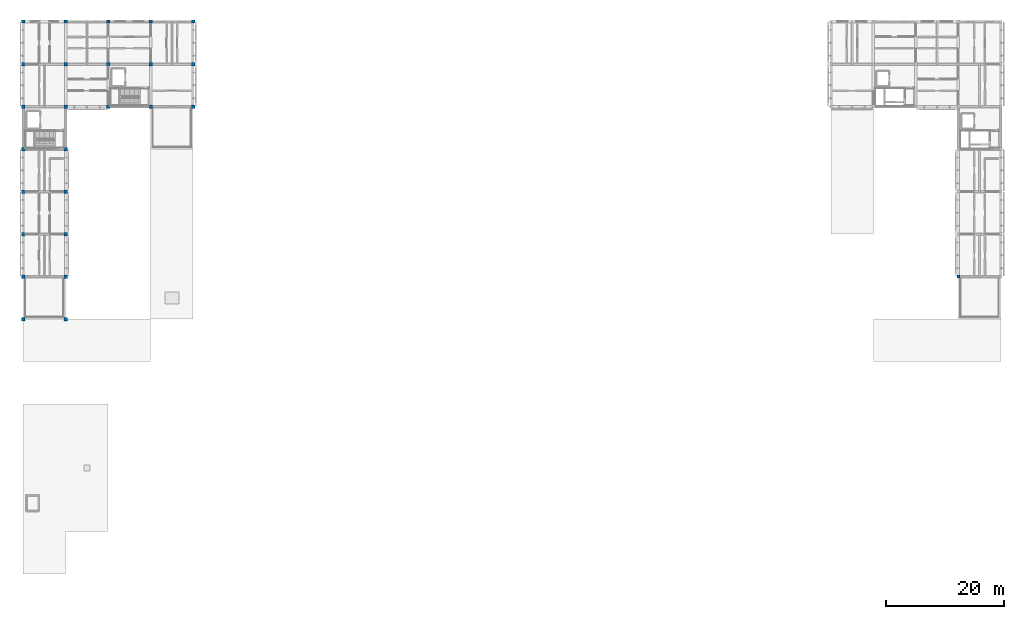
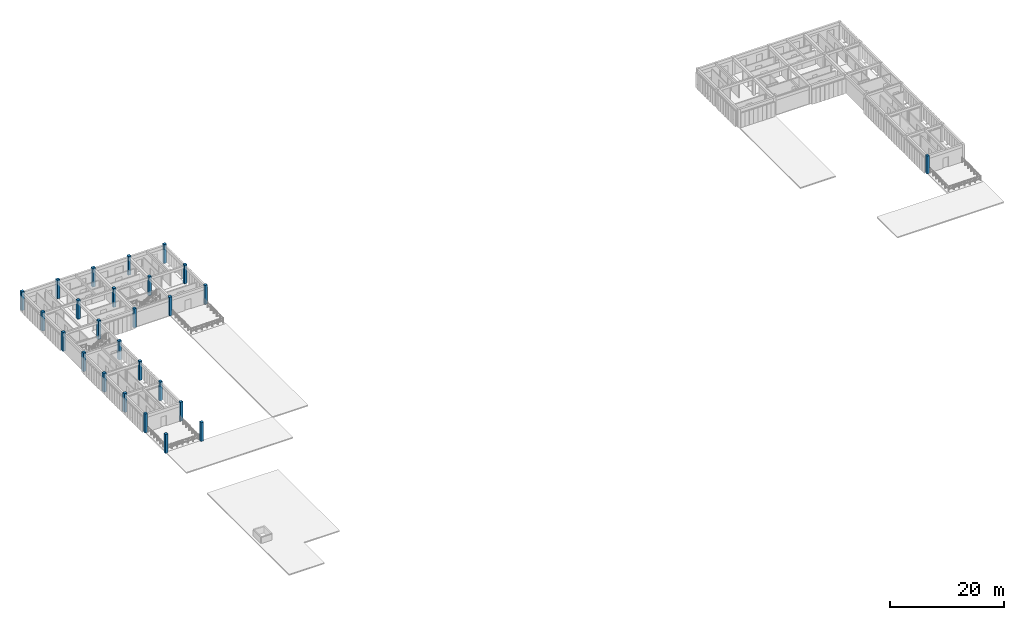
# One storey, part 1 of 33: 26 columns.
"""IFC4 building model written with IfcOpenShell, lengths in metres."""

from ifc_helpers import new_model, si_unit, direction, frame, origin, origin_2d, place, context, subcontext, project, spatial, rectangle, extrude, material, material_profile, profile_set, type_object, element, save


model = new_model("IFC4")

# Units and contexts
model_context = context("Model", 3, precision=1e-05, world=origin(), true_north=direction((0.0, 1.0)))
body_context = subcontext(model_context, "Body", "Model", "MODEL_VIEW")
ifc_project = project(units=[si_unit("LENGTHUNIT", "METRE"), si_unit("AREAUNIT", "SQUARE_METRE"), si_unit("VOLUMEUNIT", "CUBIC_METRE"), si_unit("PLANEANGLEUNIT", "RADIAN"), si_unit("MASSUNIT", "GRAM", prefix="KILO")], contexts=[model_context])

# Site, building, storey
site_placement = place(None, origin())
site = spatial("IfcSite", under=ifc_project, at=site_placement, CompositionType="ELEMENT")
building_placement = place(site_placement, origin())
building = spatial("IfcBuilding", under=site, at=building_placement, Name="Aldebral Square Health Centre", CompositionType="ELEMENT")
storey_placement = place(building_placement, frame((0.0, 0.0, 17.550048828125)))
storey = spatial("IfcBuildingStorey", under=building, at=storey_placement, Name="L04", CompositionType="ELEMENT", Elevation=17.550048828125)

# Columns
ifc_material = material(Name="Concrete C40/50", Category="concrete")
ifc_material_profile_1 = material_profile(ifc_material, rectangle(XDim=0.550048828125, YDim=0.550048828125, at=origin_2d()), Name="RC 550x550")
ifc_profile_set_1 = profile_set([ifc_material_profile_1], Name="Concrete C40/50")
column_type_1 = type_object("IfcColumnType", Name="COL-C4", PredefinedType="COLUMN", material=ifc_profile_set_1)
for number, where, z_axis, x_axis, name in (
    (1, (0.0, 64.800048828125, 0.0), (0.0, 0.0, 1.0), (1.0, 0.0, 0.0), "L04 column 1/10"),
    (2, (0.0, 72.0, 0.0), (0.0, 0.0, 1.0), (1.0, 0.0, 0.0), "L04 column 1/11"),
    (3, (0.0, 79.199951171875, 0.0), (0.0, 0.0, 1.0), (1.0, 0.0, 0.0), "L04 column 1/12"),
    (4, (0.0, 86.39990234375, 0.0), (0.0, 0.0, 1.0), (1.0, 0.0, 0.0), "L04 column 1/13"),
    (5, (0.0, 93.60009765625, 0.0), (0.0, 0.0, 1.0), (1.0, 0.0, 0.0), "L04 column 1/14"),
    (6, (0.0, 100.800048828125, 0.0), (0.0, 0.0, 1.0), (1.0, 0.0, 0.0), "L04 column 1/15"),
    (7, (0.0, 108.0, 0.0), (0.0, 0.0, 1.0), (1.0, 0.0, 0.0), "L04 column 1/16"),
    (8, (0.0, 115.199951171875, 0.0), (0.0, 0.0, 1.0), (1.0, 0.0, 0.0), "L04 column 1/17"),
    (9, (7.199951171875, 64.800048828125, 0.0), (0.0, 0.0, 1.0), (1.0, 0.0, 0.0), "L04 column 2/10"),
    (10, (7.199951171875, 72.0, 0.0), (0.0, 0.0, 1.0), (1.0, 0.0, 0.0), "L04 column 2/11"),
    (11, (7.199951171875, 79.199951171875, 0.0), (0.0, 0.0, 1.0), (1.0, 0.0, 0.0), "L04 column 2/12"),
    (12, (7.199951171875, 86.39990234375, 0.0), (0.0, 0.0, 1.0), (1.0, 0.0, 0.0), "L04 column 2/13"),
    (13, (7.199951171875, 93.60009765625, 0.0), (0.0, 0.0, 1.0), (1.0, 0.0, 0.0), "L04 column 2/14"),
    (14, (7.199951171875, 100.800048828125, 0.0), (0.0, 0.0, 1.0), (1.0, 0.0, 0.0), "L04 column 2/15"),
    (15, (7.199951171875, 108.0, 0.0), (0.0, 0.0, 1.0), (1.0, 0.0, 0.0), "L04 column 2/16"),
    (16, (7.199951171875, 115.199951171875, 0.0), (0.0, 0.0, 1.0), (1.0, 0.0, 0.0), "L04 column 2/17"),
    (17, (14.39990234375, 100.800048828125, 0.0), (0.0, 0.0, 1.0), (1.0, 0.0, 0.0), "L04 column 3/15"),
    (18, (14.39990234375, 108.0, 0.0), (0.0, 0.0, 1.0), (1.0, 0.0, 0.0), "L04 column 3/16"),
    (19, (14.39990234375, 115.199951171875, 0.0), (0.0, 0.0, 1.0), (1.0, 0.0, 0.0), "L04 column 3/17"),
    (20, (21.60009765625, 100.800048828125, 0.0), (0.0, 0.0, 1.0), (1.0, 0.0, 0.0), "L04 column 4/15"),
    (21, (21.60009765625, 108.0, 0.0), (0.0, 0.0, 1.0), (1.0, 0.0, 0.0), "L04 column 4/16"),
    (22, (21.60009765625, 115.199951171875, 0.0), (0.0, 0.0, 1.0), (1.0, 0.0, 0.0), "L04 column 4/17"),
    (23, (28.800048828125, 100.800048828125, 0.0), (0.0, 0.0, 1.0), (1.0, 0.0, 0.0), "L04 column 5/15"),
    (24, (28.800048828125, 108.0, 0.0), (0.0, 0.0, 1.0), (1.0, 0.0, 0.0), "L04 column 5/16"),
    (25, (28.800048828125, 115.199951171875, 0.0), (0.0, 0.0, 1.0), (1.0, 0.0, 0.0), "L04 column 5/17"),
):
    element("IfcColumn", number, at=place(storey_placement, frame(where, z_axis=z_axis, x_axis=x_axis)), inside=storey, type_object=column_type_1, Name=name, PredefinedType="COLUMN", context=body_context, shape_type="SweptSolid", body=[
        extrude(rectangle(XDim=0.550048828125, YDim=0.550048828125, at=origin_2d()), origin(), (0.0, 0.0, 1.0), 4.050048828125),
    ])
ifc_material_profile_2 = material_profile(ifc_material, rectangle(XDim=0.5, YDim=0.5, at=origin_2d()), Name="RC 500x500")
ifc_profile_set_2 = profile_set([ifc_material_profile_2], Name="Concrete C40/50")
column_type_2 = type_object("IfcColumnType", Name="COL-C5", PredefinedType="COLUMN", material=ifc_profile_set_2)
column_placement = place(storey_placement, frame((158.39990234375, 72.0, 0.0), z_axis=(0.0, 0.0, 1.0), x_axis=(1.0, 0.0, 0.0)))
element("IfcColumn", 26, at=column_placement, inside=storey, type_object=column_type_2, Name="L04 column 23/11", PredefinedType="COLUMN", context=body_context, shape_type="SweptSolid", body=[
    extrude(rectangle(XDim=0.5, YDim=0.5, at=origin_2d()), origin(), (0.0, 0.0, 1.0), 3.829833984375),
])

save(model, "model.ifc")
